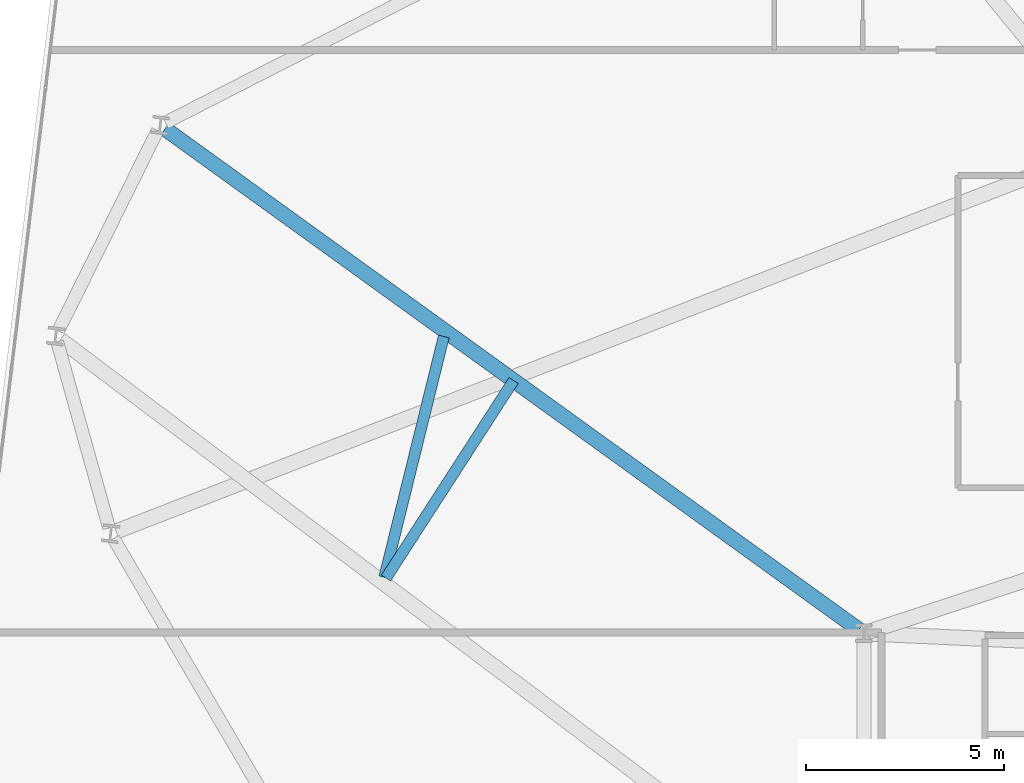
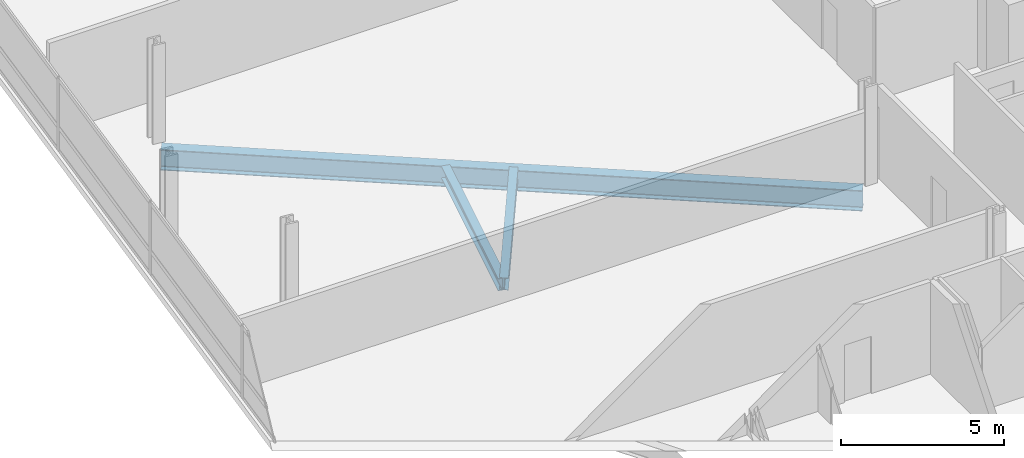
# One storey, part 9 of 26: 3 beams.
"""IFC4 building model written with IfcOpenShell, lengths in metres."""

from ifc_helpers import new_model, si_unit, direction, frame, origin, origin_2d, place, context, subcontext, project, spatial, i_section, extrude, material, material_profile, profile_set, type_object, element, save


model = new_model("IFC4")

# Units and contexts
model_context = context("Model", 3, precision=1e-05, world=origin(), true_north=direction((0.0, 1.0)))
body_context = subcontext(model_context, "Body", "Model", "MODEL_VIEW")
ifc_project = project(units=[si_unit("LENGTHUNIT", "METRE"), si_unit("AREAUNIT", "SQUARE_METRE"), si_unit("VOLUMEUNIT", "CUBIC_METRE"), si_unit("PLANEANGLEUNIT", "RADIAN"), si_unit("MASSUNIT", "GRAM", prefix="KILO")], contexts=[model_context])

# Site, building, storey
site_placement = place(None, origin())
site = spatial("IfcSite", under=ifc_project, at=site_placement, CompositionType="ELEMENT")
building_placement = place(site_placement, origin())
building = spatial("IfcBuilding", under=site, at=building_placement, Name="Varnelok Gate Tower", CompositionType="ELEMENT")
storey_placement = place(building_placement, frame((0.0, 0.0, 121.699951171875)))
storey = spatial("IfcBuildingStorey", under=building, at=storey_placement, Name="L30", CompositionType="ELEMENT", Elevation=121.699951171875)

# Beams
ifc_material = material(Name="Structural Steel ASTM A992 Grade 50", Category="steel")
ifc_material_profile_1 = material_profile(ifc_material, i_section(OverallWidth=0.280029296875, OverallDepth=0.462890625, WebThickness=0.0107421875, FlangeThickness=0.017333984375, FilletRadius=0.014892578125, at=origin_2d()), Name="W18X76")
ifc_profile_set_1 = profile_set([ifc_material_profile_1], Name="Structural Steel ASTM A992 Grade 50")
beam_type_1 = type_object("IfcBeamType", Name="BM-JST-W18X76", PredefinedType="JOIST", material=ifc_profile_set_1)
beam_1_placement = place(storey_placement, frame((13.779541015625, 34.187255859375, -0.4814453125), z_axis=(-0.239879686603, -0.970802624613, 0.0), x_axis=(0.970802624613, -0.239879686603, 0.0)))
element("IfcBeam", 1, at=beam_1_placement, inside=storey, type_object=beam_type_1, Name="L30 Sector Floor Joist 11", PredefinedType="JOIST", context=body_context, shape_type="SweptSolid", body=[
    extrude(i_section(OverallWidth=0.280029296875, OverallDepth=0.462890625, WebThickness=0.0107421875, FlangeThickness=0.017333984375, FilletRadius=0.014892578125, at=origin_2d()), origin(), (0.0, 0.0, 1.0), 6.2744140625),
])
beam_2_placement = place(storey_placement, frame((12.31689453125, 28.07763671875, -0.4814453125), z_axis=(0.542667262131, 0.839947761835, 0.0), x_axis=(-0.839947761835, 0.542667262131, 0.0)))
element("IfcBeam", 2, at=beam_2_placement, inside=storey, type_object=beam_type_1, Name="L30 Sector Floor Joist 12", PredefinedType="JOIST", context=body_context, shape_type="SweptSolid", body=[
    extrude(i_section(OverallWidth=0.280029296875, OverallDepth=0.462890625, WebThickness=0.0107421875, FlangeThickness=0.017333984375, FilletRadius=0.014892578125, at=origin_2d()), origin(), (0.0, 0.0, 1.0), 5.946533203125),
])
ifc_material_profile_2 = material_profile(ifc_material, i_section(OverallWidth=0.381103515625, OverallDepth=0.77294921875, WebThickness=0.0166015625, FlangeThickness=0.027099609375, FilletRadius=0.02197265625, at=origin_2d()), Name="W30X173")
ifc_profile_set_2 = profile_set([ifc_material_profile_2], Name="Structural Steel ASTM A992 Grade 50")
beam_type_2 = type_object("IfcBeamType", Name="BM-PRI-W30X173", PredefinedType="BEAM", material=ifc_profile_set_2)
beam_3_placement = place(storey_placement, frame((24.2783203125, 26.767822265625, -0.636474609375), z_axis=(-0.810778258155, 0.585353411286, 0.0), x_axis=(-0.585353411286, -0.810778258155, 0.0)))
element("IfcBeam", 3, at=beam_3_placement, inside=storey, type_object=beam_type_2, Name="L30 Radial Floor Girder 14", PredefinedType="BEAM", context=body_context, shape_type="SweptSolid", body=[
    extrude(i_section(OverallWidth=0.381103515625, OverallDepth=0.77294921875, WebThickness=0.0166015625, FlangeThickness=0.027099609375, FilletRadius=0.02197265625, at=origin_2d()), origin(), (0.0, 0.0, 1.0), 21.645263671875),
])

save(model, "model.ifc")
